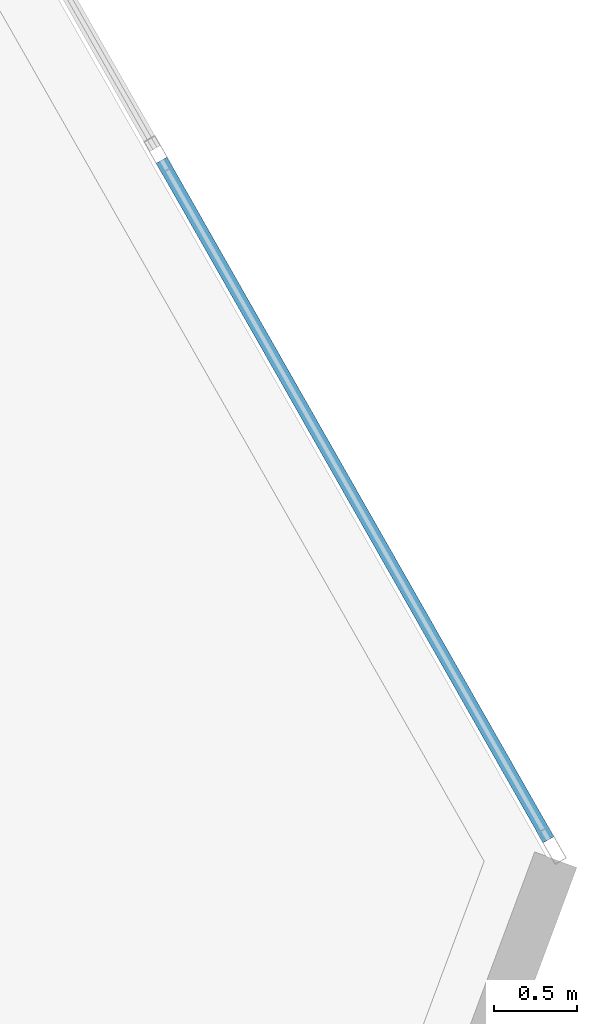
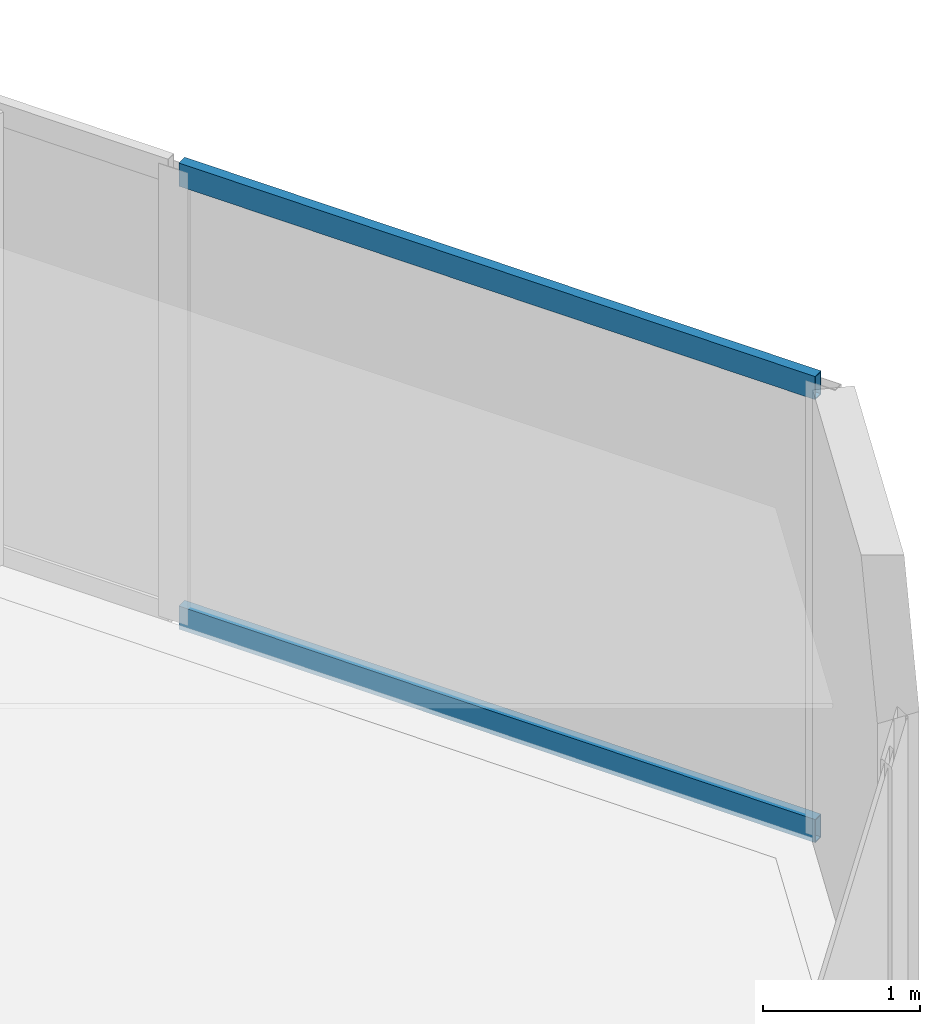
# One storey, part 13 of 22: 2 members, 1 element without a shape of its own.
"""IFC4 building model written with IfcOpenShell, lengths in metres."""

from ifc_helpers import new_model, si_unit, direction, frame, origin, origin_2d, place, context, subcontext, project, spatial, hollow_rectangle, extrude, source, transform, mapped, material, layer, layer_set, material_profile, profile_set, type_object, type_shapes, element, aggregate, save


model = new_model("IFC4")

# Units and contexts
model_context = context("Model", 3, precision=1e-05, world=origin(), true_north=direction((0.0, 1.0)))
body_context = subcontext(model_context, "Body", "Model", "MODEL_VIEW")
ifc_project = project(units=[si_unit("LENGTHUNIT", "METRE"), si_unit("AREAUNIT", "SQUARE_METRE"), si_unit("VOLUMEUNIT", "CUBIC_METRE"), si_unit("PLANEANGLEUNIT", "RADIAN"), si_unit("MASSUNIT", "GRAM", prefix="KILO")], contexts=[model_context])

# Site, building, storey
site_placement = place(None, origin())
site = spatial("IfcSite", under=ifc_project, at=site_placement, CompositionType="ELEMENT")
building_placement = place(site_placement, origin())
building = spatial("IfcBuilding", under=site, at=building_placement, Name="Talar Marvaseh", CompositionType="ELEMENT")
storey_placement = place(building_placement, frame((0.0, 0.0, 54.39990234375)))
storey = spatial("IfcBuildingStorey", under=building, at=storey_placement, Name="L13", CompositionType="ELEMENT", Elevation=54.39990234375)

# Curtain wall, members
ifc_material = material(Name="Architectural Aluminium", Category="aluminium")
ifc_layer = layer(ifc_material, 0.219970703125)
ifc_layer_set = layer_set([ifc_layer], Name="Architectural Aluminium")
curtain_wall_type = type_object("IfcCurtainWallType", Name="Unitised Low-E Museum Curtain Wall Z1", PredefinedType="NOTDEFINED", material=ifc_layer_set)
curtain_wall_placement = place(storey_placement, origin())
curtain_wall = element("IfcCurtainWall", 1, at=curtain_wall_placement, inside=storey, type_object=curtain_wall_type, Name="L13 Unitised Low-E Museum Curtain Wall Z1", PredefinedType="NOTDEFINED")
ifc_material_profile = material_profile(ifc_material, hollow_rectangle(XDim=0.074951171875, YDim=0.179931640625, WallThickness=0.0048828125, at=origin_2d()), Name="RHS180x75x5")
ifc_profile_set = profile_set([ifc_material_profile], Name="Architectural Aluminium")
member_type = type_object("IfcMemberType", Name="Unitised Curtain Wall Transom RHS180x75x5", PredefinedType="USERDEFINED", material=ifc_profile_set)
shared_shape = source(origin(), body_context, "Body", "SweptSolid", [
    extrude(hollow_rectangle(XDim=0.074951171875, YDim=0.179931640625, WallThickness=0.0048828125, at=origin_2d()), origin(), (0.0, 0.0, 1.0), 4.69677734375),
])
type_shapes(member_type, [shared_shape])
member_1_placement = place(storey_placement, frame((49.932861328125, 29.634765625, 0.03759765625), z_axis=(0.494761200825, -0.86902897199, 0.0), x_axis=(0.86902897199, 0.494761200825, 0.0)))
member_1 = element("IfcMember", 2, at=member_1_placement, type_object=member_type, Name="CW-Z1 transom 4.1", ObjectType="TRANSOM", PredefinedType="USERDEFINED", context=body_context, shape_type="MappedRepresentation", body=[
    mapped(shared_shape, transform((0.0, 0.0, 0.0), x_axis=(1.0, 0.0, 0.0), y_axis=(0.0, 1.0, 0.0), z_axis=(0.0, 0.0, 1.0), scale=1.0)),
])
member_2_placement = place(storey_placement, frame((49.932861328125, 29.634765625, 3.482666015625), z_axis=(0.494761200825, -0.86902897199, 0.0), x_axis=(0.86902897199, 0.494761200825, 0.0)))
member_2 = element("IfcMember", 3, at=member_2_placement, type_object=member_type, Name="CW-Z1 transom 4.2", ObjectType="TRANSOM", PredefinedType="USERDEFINED", context=body_context, shape_type="MappedRepresentation", body=[
    mapped(shared_shape, transform((0.0, 0.0, 0.0), x_axis=(1.0, 0.0, 0.0), y_axis=(0.0, 1.0, 0.0), z_axis=(0.0, 0.0, 1.0), scale=1.0)),
])
aggregate(curtain_wall, [member_1, member_2])

save(model, "model.ifc")
